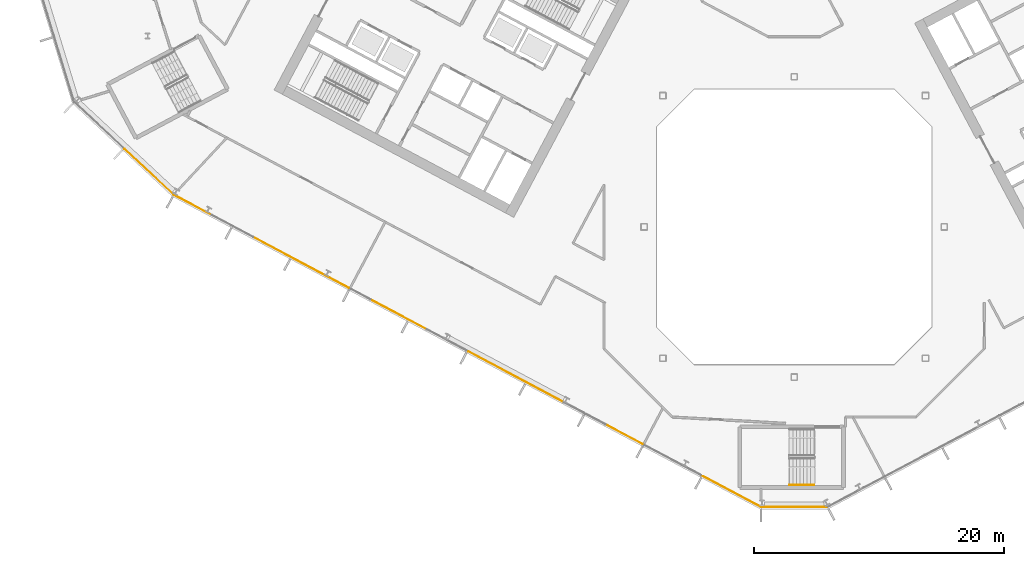
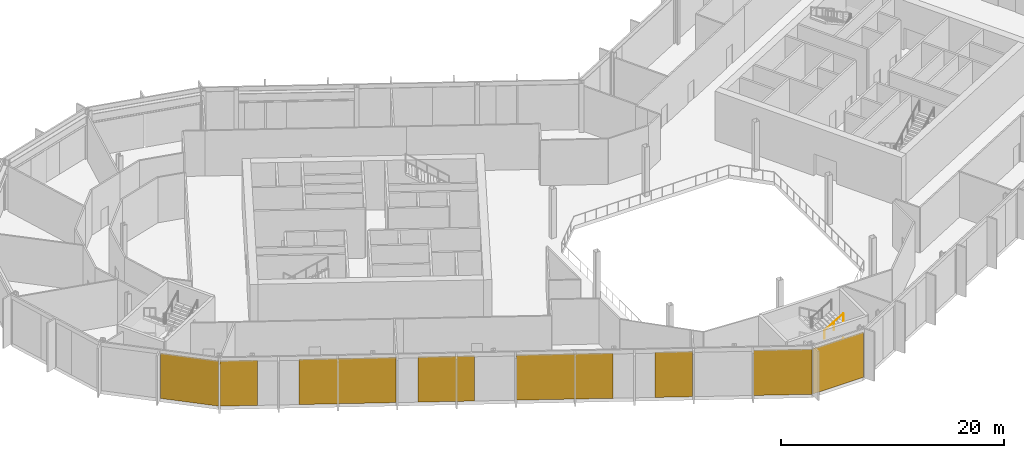
# One storey, part 20 of 31: 8 coverings, 2 railings, 3 elements without a shape of their own.
"""IFC4 building model written with IfcOpenShell, lengths in metres."""

from ifc_helpers import new_model, si_unit, direction, frame, origin, origin_2d, place, context, subcontext, project, spatial, polyline, rectangle, outline, extrude, material, layer, layer_set, type_object, element, aggregate, save


model = new_model("IFC4")

# Units and contexts
model_context = context("Model", 3, precision=1e-05, world=origin(), true_north=direction((0.0, 1.0)))
body_context = subcontext(model_context, "Body", "Model", "MODEL_VIEW")
ifc_project = project(units=[si_unit("LENGTHUNIT", "METRE"), si_unit("AREAUNIT", "SQUARE_METRE"), si_unit("VOLUMEUNIT", "CUBIC_METRE"), si_unit("PLANEANGLEUNIT", "RADIAN"), si_unit("MASSUNIT", "GRAM", prefix="KILO")], contexts=[model_context])

# Site, building, storey
site_placement = place(None, origin())
site = spatial("IfcSite", under=ifc_project, at=site_placement, CompositionType="ELEMENT")
building_placement = place(site_placement, origin())
building = spatial("IfcBuilding", under=site, at=building_placement, Name="Cormorant Relay Tower", CompositionType="ELEMENT")
storey_placement = place(building_placement, frame((0.0, 0.0, 178.199951171875)))
storey = spatial("IfcBuildingStorey", under=building, at=storey_placement, Name="L38", CompositionType="ELEMENT", Elevation=178.199951171875)

# Curtain wall, covering
ifc_material_1 = material(Name="Aluminium 6063-T6 anodised bronze", Category="aluminium")
ifc_layer_1 = layer(ifc_material_1, 0.199951171875)
ifc_layer_set_1 = layer_set([ifc_layer_1], Name="CW1 unitised bronze curtain wall with vertical fins")
curtain_wall_type = type_object("IfcCurtainWallType", Name="CW1 unitised bronze curtain wall with vertical fins", PredefinedType="NOTDEFINED", material=ifc_layer_set_1)
curtain_wall_1_placement = place(storey_placement, origin())
curtain_wall_1 = element("IfcCurtainWall", 1, at=curtain_wall_1_placement, inside=storey, type_object=curtain_wall_type, Name="CW1 curtain wall 1", PredefinedType="NOTDEFINED")
ifc_material_2 = material(Name="Pale bronze anodised aluminium insulated panel", Category="aluminium")
ifc_layer_2 = layer(ifc_material_2, 0.0400390625)
ifc_layer_set_2 = layer_set([ifc_layer_2], Name="CW1 pale bronze insulated panel 40")
covering_type = type_object("IfcCoveringType", Name="CW1 pale bronze insulated panel 40", PredefinedType="CLADDING", material=ifc_layer_set_2)
covering_1_placement = place(storey_placement, frame((0.03759765625, -22.3955078125, 0.0), z_axis=(0.0, 0.0, 1.0), x_axis=(1.0, 0.0, 0.0)))
covering_1 = element("IfcCovering", 2, at=covering_1_placement, type_object=covering_type, Name="CW1 panel S00", PredefinedType="CLADDING", context=body_context, shape_type="SweptSolid", body=[
    extrude(rectangle(XDim=5.22265625, YDim=0.0400390625, at=origin_2d()), origin(), (0.0, 0.0, 1.0), 4.949951171875),
])
aggregate(curtain_wall_1, [covering_1])

curtain_wall_2_placement = place(storey_placement, origin())
curtain_wall_2 = element("IfcCurtainWall", 3, at=curtain_wall_2_placement, inside=storey, type_object=curtain_wall_type, Name="CW1 curtain wall 15", PredefinedType="NOTDEFINED")
covering_2_placement = place(storey_placement, frame((-51.565185546875, 4.3974609375, 0.0), z_axis=(0.0, 0.0, 1.0), x_axis=(0.731353701619, -0.681998360062, 0.0)))
covering_2 = element("IfcCovering", 4, at=covering_2_placement, type_object=covering_type, Name="CW1 panel S01", PredefinedType="CLADDING", context=body_context, shape_type="SweptSolid", body=[
    extrude(rectangle(XDim=5.360107421875, YDim=0.0400390625, at=origin_2d()), origin(), (0.0, 0.0, 1.0), 4.949951171875),
])
aggregate(curtain_wall_2, [covering_2])

# Curtain wall, coverings
curtain_wall_3_placement = place(storey_placement, origin())
curtain_wall_3 = element("IfcCurtainWall", 5, at=curtain_wall_3_placement, inside=storey, type_object=curtain_wall_type, Name="CW1 curtain wall 16", PredefinedType="NOTDEFINED")
covering_3_placement = place(storey_placement, frame((-48.048583984375, 1.7412109375, 0.0), z_axis=(0.0, 0.0, 1.0), x_axis=(0.882947592859, -0.469471562786, 0.0)))
covering_3 = element("IfcCovering", 6, at=covering_3_placement, type_object=covering_type, Name="CW1 panel S00", PredefinedType="CLADDING", context=body_context, shape_type="SweptSolid", body=[
    extrude(rectangle(XDim=3.36669921875, YDim=0.0400390625, at=origin_2d()), origin(), (0.0, 0.0, 1.0), 4.949951171875),
])
covering_4_placement = place(storey_placement, frame((-39.417724609375, -2.847900390625, 0.0), z_axis=(0.0, 0.0, 1.0), x_axis=(0.882947592859, -0.469471562786, 0.0)))
covering_4 = element("IfcCovering", 7, at=covering_4_placement, type_object=covering_type, Name="CW1 panel S03", PredefinedType="CLADDING", context=body_context, shape_type="SweptSolid", body=[
    extrude(rectangle(XDim=8.68310546875, YDim=0.0400390625, at=origin_2d()), origin(), (0.0, 0.0, 1.0), 4.949951171875),
])
covering_5_placement = place(storey_placement, frame((-31.618408203125, -6.994873046875, 0.0), z_axis=(0.0, 0.0, 1.0), x_axis=(0.882947592859, -0.469471562786, 0.0)))
covering_5 = element("IfcCovering", 8, at=covering_5_placement, type_object=covering_type, Name="CW1 panel S05", PredefinedType="CLADDING", context=body_context, shape_type="SweptSolid", body=[
    extrude(rectangle(XDim=5.083251953125, YDim=0.0400390625, at=origin_2d()), origin(), (0.0, 0.0, 1.0), 4.949951171875),
])
covering_6_placement = place(storey_placement, frame((-22.22998046875, -11.98681640625, 0.0), z_axis=(0.0, 0.0, 1.0), x_axis=(0.882947592859, -0.469471562786, 0.0)))
covering_6 = element("IfcCovering", 9, at=covering_6_placement, type_object=covering_type, Name="CW1 panel S07", PredefinedType="CLADDING", context=body_context, shape_type="SweptSolid", body=[
    extrude(rectangle(XDim=8.68310546875, YDim=0.0400390625, at=origin_2d()), origin(), (0.0, 0.0, 1.0), 4.949951171875),
])
covering_7_placement = place(storey_placement, frame((-13.599365234375, -16.57568359375, 0.0), z_axis=(0.0, 0.0, 1.0), x_axis=(0.882947592859, -0.469471562786, 0.0)))
covering_7 = element("IfcCovering", 10, at=covering_7_placement, type_object=covering_type, Name="CW1 panel S10", PredefinedType="CLADDING", context=body_context, shape_type="SweptSolid", body=[
    extrude(rectangle(XDim=3.36669921875, YDim=0.0400390625, at=origin_2d()), origin(), (0.0, 0.0, 1.0), 4.949951171875),
])
covering_8_placement = place(storey_placement, frame((-4.972412109375, -21.162841796875, 0.0), z_axis=(0.0, 0.0, 1.0), x_axis=(0.882947592859, -0.469471562786, 0.0)))
covering_8 = element("IfcCovering", 11, at=covering_8_placement, type_object=covering_type, Name="CW1 panel S12", PredefinedType="CLADDING", context=body_context, shape_type="SweptSolid", body=[
    extrude(rectangle(XDim=5.24169921875, YDim=0.0400390625, at=origin_2d()), origin(), (0.0, 0.0, 1.0), 4.949951171875),
])
aggregate(curtain_wall_3, [covering_3, covering_4, covering_5, covering_6, covering_7, covering_8])

# Railings
ifc_material_3 = material(Name="Steel ASTM A572 Grade 50 (Fy 345 MPa)", Category="steel")
railing_type = type_object("IfcRailingType", Name="Stair handrail 900", PredefinedType="HANDRAIL", material=ifc_material_3)
railing_1_placement = place(storey_placement, frame((-0.360107421875, -20.625, 1.518798828125)))
element("IfcRailing", 12, at=railing_1_placement, inside=storey, type_object=railing_type, Name="L38 RK1 stair handrail 2", PredefinedType="HANDRAIL", context=body_context, shape_type="SweptSolid", body=[
    extrude(outline(polyline([(0.022216796875, 0.00927734375), (0.00927734375, 0.022216796875), (-0.00927734375, 0.022216796875), (-0.022216796875, 0.00927734375), (-0.022216796875, -0.00927734375), (-0.00927734375, -0.022216796875), (0.00927734375, -0.022216796875), (0.022216796875, -0.00927734375), (0.022216796875, 0.00927734375)])), frame((0.0, 0.0, 0.8759765625), z_axis=(0.856521883693, 0.0, 0.516110707847), x_axis=(0.0, 1.0, 0.0)), (0.0, 0.0, 1.0), 2.28857421875),
    extrude(outline(polyline([(0.019287109375, 0.008056640625), (0.008056640625, 0.019287109375), (-0.008056640625, 0.019287109375), (-0.019287109375, 0.008056640625), (-0.019287109375, -0.008056640625), (-0.008056640625, -0.019287109375), (0.008056640625, -0.019287109375), (0.019287109375, -0.008056640625), (0.019287109375, 0.008056640625)])), origin(), (0.0, 0.0, 1.0), 0.851806640625),
    extrude(outline(polyline([(0.019287109375, 0.008056640625), (0.008056640625, 0.019287109375), (-0.008056640625, 0.019287109375), (-0.019287109375, 0.008056640625), (-0.019287109375, -0.008056640625), (-0.008056640625, -0.019287109375), (0.008056640625, -0.019287109375), (0.019287109375, -0.008056640625), (0.019287109375, 0.008056640625)])), frame((0.97998046875, 0.0, 0.590576171875)), (0.0, 0.0, 1.0), 0.851806640625),
    extrude(outline(polyline([(0.019287109375, 0.008056640625), (0.008056640625, 0.019287109375), (-0.008056640625, 0.019287109375), (-0.019287109375, 0.008056640625), (-0.019287109375, -0.008056640625), (-0.008056640625, -0.019287109375), (0.008056640625, -0.019287109375), (0.019287109375, -0.008056640625), (0.019287109375, 0.008056640625)])), frame((1.960205078125, 0.0, 1.18115234375)), (0.0, 0.0, 1.0), 0.851806640625),
])
railing_2_placement = place(storey_placement, frame((-0.360107421875, -20.625, 4.21875)))
element("IfcRailing", 13, at=railing_2_placement, inside=storey, type_object=railing_type, Name="L38 RK1 stair handrail 4", PredefinedType="HANDRAIL", context=body_context, shape_type="SweptSolid", body=[
    extrude(outline(polyline([(0.022216796875, 0.00927734375), (0.00927734375, 0.022216796875), (-0.00927734375, 0.022216796875), (-0.022216796875, 0.00927734375), (-0.022216796875, -0.00927734375), (-0.00927734375, -0.022216796875), (0.00927734375, -0.022216796875), (0.022216796875, -0.00927734375), (0.022216796875, 0.00927734375)])), frame((0.0, 0.0, 0.8759765625), z_axis=(0.856474724393, 0.0, 0.516188963923), x_axis=(0.0, 1.0, 0.0)), (0.0, 0.0, 1.0), 2.28857421875),
    extrude(outline(polyline([(0.019287109375, 0.008056640625), (0.008056640625, 0.019287109375), (-0.008056640625, 0.019287109375), (-0.019287109375, 0.008056640625), (-0.019287109375, -0.008056640625), (-0.008056640625, -0.019287109375), (0.008056640625, -0.019287109375), (0.019287109375, -0.008056640625), (0.019287109375, 0.008056640625)])), origin(), (0.0, 0.0, 1.0), 0.851806640625),
    extrude(outline(polyline([(0.019287109375, 0.008056640625), (0.008056640625, 0.019287109375), (-0.008056640625, 0.019287109375), (-0.019287109375, 0.008056640625), (-0.019287109375, -0.008056640625), (-0.008056640625, -0.019287109375), (0.008056640625, -0.019287109375), (0.019287109375, -0.008056640625), (0.019287109375, 0.008056640625)])), frame((0.97998046875, 0.0, 0.5908203125)), (0.0, 0.0, 1.0), 0.851806640625),
    extrude(outline(polyline([(0.019287109375, 0.008056640625), (0.008056640625, 0.019287109375), (-0.008056640625, 0.019287109375), (-0.019287109375, 0.008056640625), (-0.019287109375, -0.008056640625), (-0.008056640625, -0.019287109375), (0.008056640625, -0.019287109375), (0.019287109375, -0.008056640625), (0.019287109375, 0.008056640625)])), frame((1.960205078125, 0.0, 1.181396484375)), (0.0, 0.0, 1.0), 0.851806640625),
])

save(model, "model.ifc")
